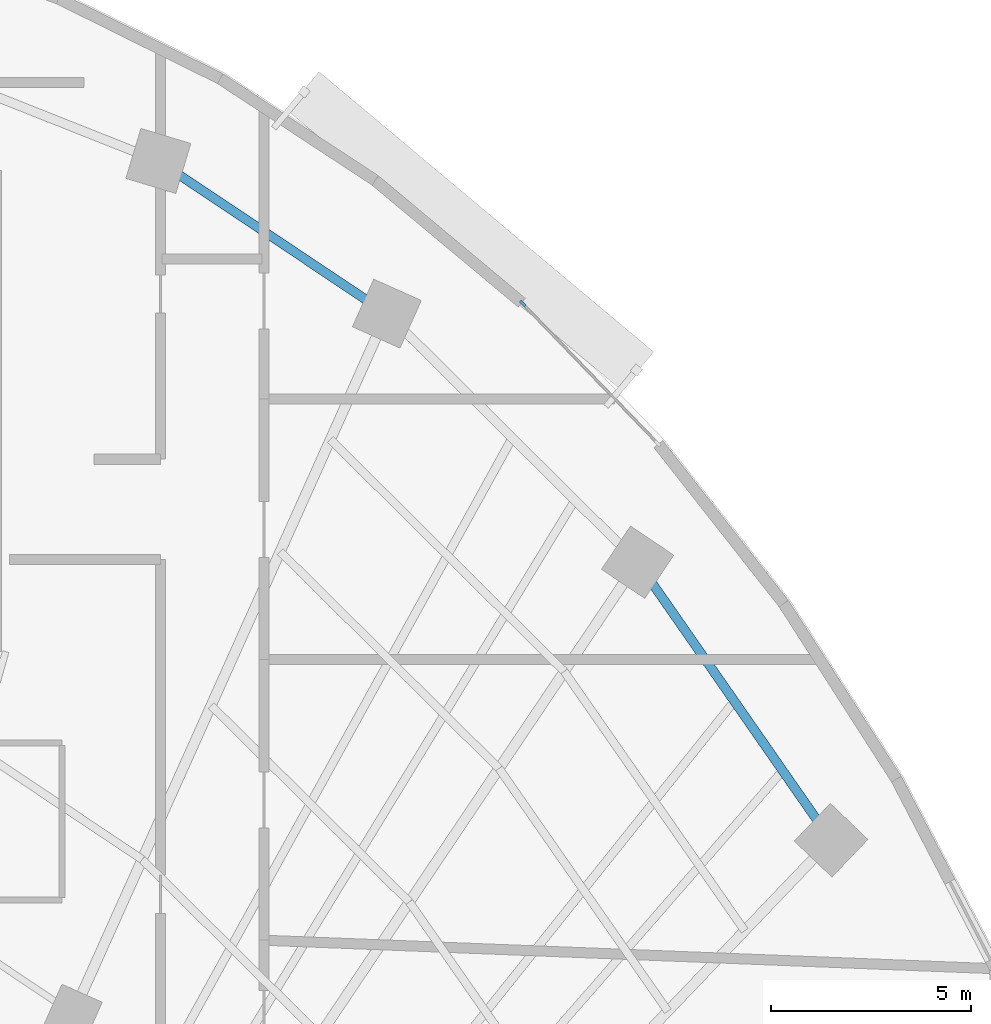
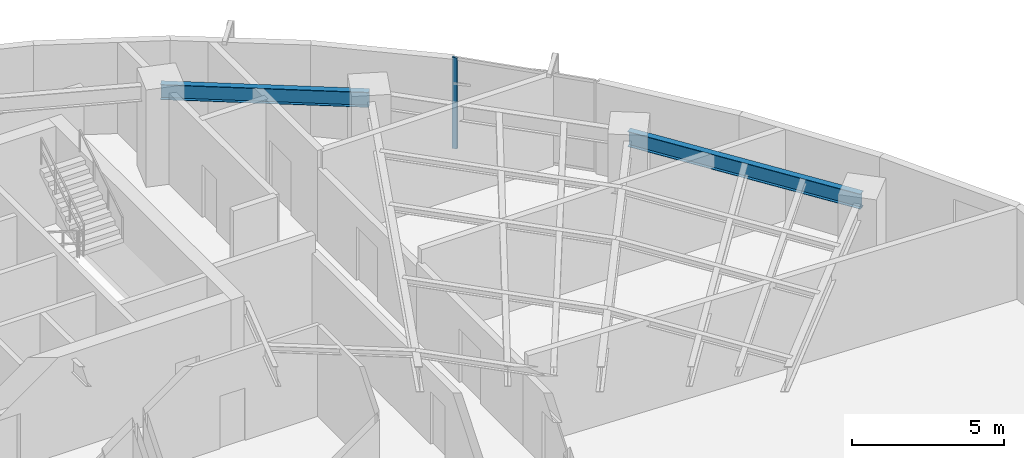
# One storey, part 6 of 14: 2 beams, 1 member, 1 element without a shape of its own.
"""IFC4 building model written with IfcOpenShell, lengths in metres."""

from ifc_helpers import new_model, si_unit, direction, frame, origin, origin_2d, place, context, subcontext, project, spatial, rectangle, i_section, extrude, source, transform, mapped, material, layer, layer_set, material_profile, profile_set, type_object, element, aggregate, save


model = new_model("IFC4")

# Units and contexts
model_context = context("Model", 3, precision=1e-05, world=origin(), true_north=direction((0.0, 1.0)))
body_context = subcontext(model_context, "Body", "Model", "MODEL_VIEW")
ifc_project = project(units=[si_unit("LENGTHUNIT", "METRE"), si_unit("AREAUNIT", "SQUARE_METRE"), si_unit("VOLUMEUNIT", "CUBIC_METRE"), si_unit("PLANEANGLEUNIT", "RADIAN"), si_unit("MASSUNIT", "GRAM", prefix="KILO")], contexts=[model_context])

# Site, building, storey
site_placement = place(None, origin())
site = spatial("IfcSite", under=ifc_project, at=site_placement, CompositionType="ELEMENT")
building_placement = place(site_placement, origin())
building = spatial("IfcBuilding", under=site, at=building_placement, Name="Breltana Convention Tower", CompositionType="ELEMENT")
storey_placement = place(building_placement, frame((0.0, 0.0, 123.300048828125)))
storey = spatial("IfcBuildingStorey", under=building, at=storey_placement, Name="L29", CompositionType="ELEMENT", Elevation=123.300048828125)

# Beams
ifc_material_1 = material(Name="Steel ASTM A992 Grade 50", Category="steel")
ifc_material_profile_1 = material_profile(ifc_material_1, i_section(OverallWidth=0.22802734375, OverallDepth=0.60791015625, WebThickness=0.01123046875, FlangeThickness=0.017333984375, at=origin_2d()), Name="W24X76")
ifc_profile_set_1 = profile_set([ifc_material_profile_1], Name="Steel ASTM A992 Grade 50")
beam_type = type_object("IfcBeamType", Name="BM-SP-W24X76", PredefinedType="SPANDREL", material=ifc_profile_set_1)
shared_shape_1 = source(origin(), body_context, "Body", "SweptSolid", [
    extrude(i_section(OverallWidth=0.22802734375, OverallDepth=0.60791015625, WebThickness=0.01123046875, FlangeThickness=0.017333984375, at=origin_2d()), origin(), (0.0, 0.0, 1.0), 6.856689453125),
])
beam_1_placement = place(storey_placement, frame((63.208984375, 72.4423828125, 3.345947265625), z_axis=(0.83150210718, -0.55552159792, 0.0), x_axis=(0.55552159792, 0.83150210718, 0.0)))
element("IfcBeam", 1, at=beam_1_placement, inside=storey, type_object=beam_type, Name="L29 Outer Spandrel Beam 08", PredefinedType="SPANDREL", context=body_context, shape_type="MappedRepresentation", body=[
    mapped(shared_shape_1, transform((0.0, 0.0, 0.0), scale=1.0)),
])
shared_shape_2 = source(origin(), body_context, "Body", "SweptSolid", [
    extrude(i_section(OverallWidth=0.22802734375, OverallDepth=0.60791015625, WebThickness=0.01123046875, FlangeThickness=0.017333984375, at=origin_2d()), origin(), (0.0, 0.0, 1.0), 8.44970703125),
])
beam_2_placement = place(storey_placement, frame((75.166748046875, 62.43017578125, 3.345947265625), z_axis=(0.5711855381, -0.820820979913, 0.0), x_axis=(0.820820979913, 0.5711855381, 0.0)))
element("IfcBeam", 2, at=beam_2_placement, inside=storey, type_object=beam_type, Name="L29 Outer Spandrel Beam 10", PredefinedType="SPANDREL", context=body_context, shape_type="MappedRepresentation", body=[
    mapped(shared_shape_2, transform((0.0, 0.0, 0.0), scale=1.0)),
])

# Curtain wall, member
ifc_material_2 = material(Name="Aluminium Anodised Bronze Frame", Category="aluminium")
ifc_layer = layer(ifc_material_2, 0.22998046875, Name="Aluminium Anodised Bronze Frame")
ifc_layer_set = layer_set([ifc_layer], Name="Aluminium Anodised Bronze Frame")
curtain_wall_type = type_object("IfcCurtainWallType", Name="CW-SYS-5", PredefinedType="NOTDEFINED", material=ifc_layer_set)
curtain_wall_placement = place(storey_placement, origin())
curtain_wall = element("IfcCurtainWall", 3, at=curtain_wall_placement, inside=storey, type_object=curtain_wall_type, Name="L29 outer double-skin inner glazing 4", PredefinedType="NOTDEFINED")
ifc_material_3 = material(Name="Aluminium Anodised Bronze", Category="aluminium")
ifc_material_profile_2 = material_profile(ifc_material_3, rectangle(XDim=0.070068359375, YDim=0.175048828125, at=origin_2d()), Name="CWM-70X175")
ifc_profile_set_2 = profile_set([ifc_material_profile_2], Name="Aluminium Anodised Bronze")
member_type = type_object("IfcMemberType", Name="CWM-175", PredefinedType="MULLION", material=ifc_profile_set_2)
shared_shape_3 = source(origin(), body_context, "Body", "SweptSolid", [
    extrude(rectangle(XDim=0.070068359375, YDim=0.175048828125, at=origin_2d()), origin(), (0.0, 0.0, 1.0), 3.64990234375),
])
member_placement = place(storey_placement, frame((72.299560546875, 68.88232421875, 0.0), z_axis=(0.0, 0.0, 1.0), x_axis=(0.719384961558, 0.694611601605, 0.0)))
member = element("IfcMember", 4, at=member_placement, type_object=member_type, Name="CW-05 mullion 1", PredefinedType="MULLION", context=body_context, shape_type="MappedRepresentation", body=[
    mapped(shared_shape_3, transform((0.0, 0.0, 0.0), scale=1.0)),
])
aggregate(curtain_wall, [member])

save(model, "model.ifc")
